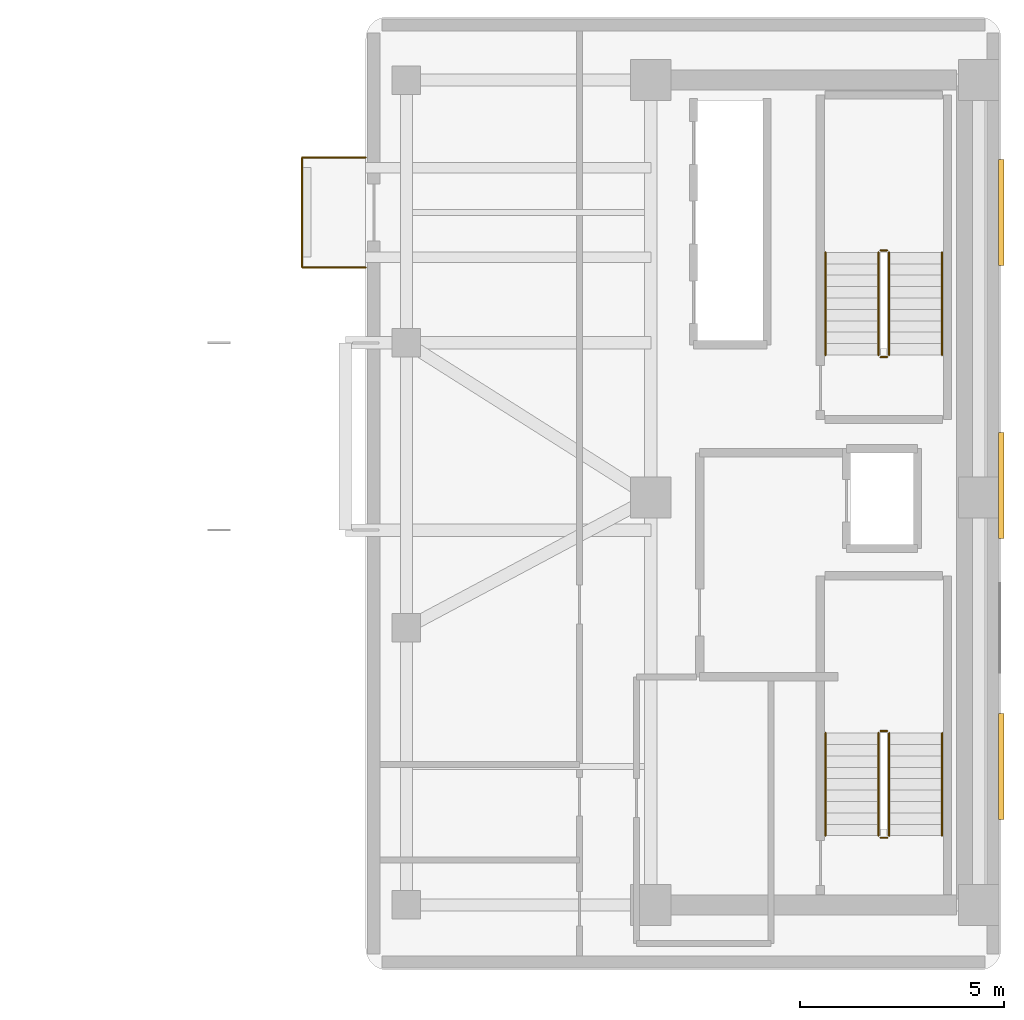
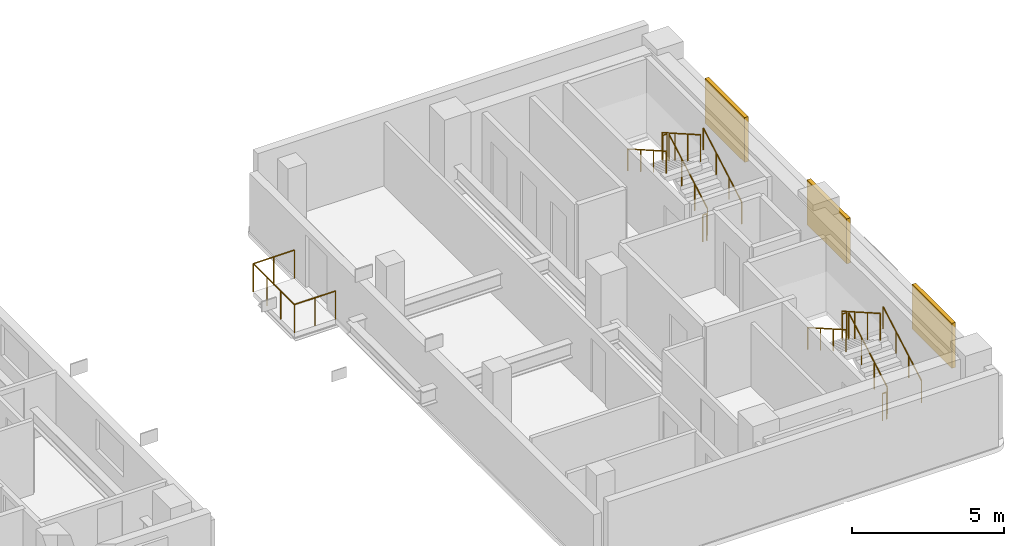
# One storey, part 11 of 11: 15 railings, 3 shading devices.
"""IFC4 building model written with IfcOpenShell, lengths in metres."""

from ifc_helpers import new_model, si_unit, direction, frame, origin, origin_2d, place, context, subcontext, project, spatial, rectangle, circle, extrude, material, layer, layer_set, type_object, element, save


model = new_model("IFC4")

# Units and contexts
model_context = context("Model", 3, precision=1e-05, world=origin(), true_north=direction((0.0, 1.0)))
body_context = subcontext(model_context, "Body", "Model", "MODEL_VIEW")
ifc_project = project(units=[si_unit("LENGTHUNIT", "METRE"), si_unit("AREAUNIT", "SQUARE_METRE"), si_unit("VOLUMEUNIT", "CUBIC_METRE"), si_unit("PLANEANGLEUNIT", "RADIAN"), si_unit("MASSUNIT", "GRAM", prefix="KILO")], contexts=[model_context])

# Site, building, storey
site_placement = place(None, origin())
site = spatial("IfcSite", under=ifc_project, at=site_placement, CompositionType="ELEMENT")
building_placement = place(site_placement, origin())
building = spatial("IfcBuilding", under=site, at=building_placement, Name="Kuzgunbayir Cultural Tower", CompositionType="ELEMENT")
storey_placement = place(building_placement, frame((0.0, 0.0, 99.39990234375)))
storey = spatial("IfcBuildingStorey", under=building, at=storey_placement, Name="L28", CompositionType="ELEMENT", Elevation=99.39990234375)

# Railings
ifc_material_1 = material(Name="Laminated Glass and Stainless Steel", Category="steel")
ifc_layer_1 = layer(ifc_material_1, 0.080078125)
ifc_layer_set_1 = layer_set([ifc_layer_1], Name="Laminated Glass and Stainless Steel")
railing_type_1 = type_object("IfcRailingType", Name="RLG-BAL-115", PredefinedType="BALUSTRADE", material=ifc_layer_set_1)
railing_1_placement = place(storey_placement, frame((57.60009765625, 37.64990234375, 0.0)))
element("IfcRailing", 1, at=railing_1_placement, inside=storey, type_object=railing_type_1, Name="L28 Companion Balcony Guard BAL-L28-T2W3 Segment 1", PredefinedType="BALUSTRADE", context=body_context, shape_type="SweptSolid", body=[
    extrude(circle(Radius=0.02392578125, at=origin_2d()), frame((0.0, 0.0, 1.1259765625), z_axis=(-1.0, 0.0, 0.0), x_axis=(0.0, -1.0, 0.0)), (0.0, 0.0, 1.0), 1.56005859375),
    extrude(circle(Radius=0.02099609375, at=origin_2d()), origin(), (0.0, 0.0, 1.0), 1.101806640625),
    extrude(circle(Radius=0.02099609375, at=origin_2d()), frame((-0.780029296875, 0.0, 0.0)), (0.0, 0.0, 1.0), 1.101806640625),
    extrude(circle(Radius=0.02099609375, at=origin_2d()), frame((-1.56005859375, 0.0, 0.0)), (0.0, 0.0, 1.0), 1.101806640625),
])
railing_2_placement = place(storey_placement, frame((56.0400390625, 37.64990234375, 0.0)))
element("IfcRailing", 2, at=railing_2_placement, inside=storey, type_object=railing_type_1, Name="L28 Companion Balcony Guard BAL-L28-T2W3 Segment 2", PredefinedType="BALUSTRADE", context=body_context, shape_type="SweptSolid", body=[
    extrude(circle(Radius=0.02392578125, at=origin_2d()), frame((0.0, 0.0, 1.1259765625), z_axis=(0.0, 1.0, 0.0), x_axis=(-1.0, 0.0, 0.0)), (0.0, 0.0, 1.0), 2.7001953125),
    extrude(circle(Radius=0.02099609375, at=origin_2d()), origin(), (0.0, 0.0, 1.0), 1.101806640625),
    extrude(circle(Radius=0.02099609375, at=origin_2d()), frame((0.0, 0.900146484375, 0.0)), (0.0, 0.0, 1.0), 1.101806640625),
    extrude(circle(Radius=0.02099609375, at=origin_2d()), frame((0.0, 1.800048828125, 0.0)), (0.0, 0.0, 1.0), 1.101806640625),
    extrude(circle(Radius=0.02099609375, at=origin_2d()), frame((0.0, 2.7001953125, 0.0)), (0.0, 0.0, 1.0), 1.101806640625),
])
railing_3_placement = place(storey_placement, frame((56.0400390625, 40.35009765625, 0.0)))
element("IfcRailing", 3, at=railing_3_placement, inside=storey, type_object=railing_type_1, Name="L28 Companion Balcony Guard BAL-L28-T2W3 Segment 3", PredefinedType="BALUSTRADE", context=body_context, shape_type="SweptSolid", body=[
    extrude(circle(Radius=0.02392578125, at=origin_2d()), frame((0.0, 0.0, 1.1259765625), z_axis=(1.0, 0.0, 0.0), x_axis=(0.0, 1.0, 0.0)), (0.0, 0.0, 1.0), 1.56005859375),
    extrude(circle(Radius=0.02099609375, at=origin_2d()), origin(), (0.0, 0.0, 1.0), 1.101806640625),
    extrude(circle(Radius=0.02099609375, at=origin_2d()), frame((0.780029296875, 0.0, 0.0)), (0.0, 0.0, 1.0), 1.101806640625),
    extrude(circle(Radius=0.02099609375, at=origin_2d()), frame((1.56005859375, 0.0, 0.0)), (0.0, 0.0, 1.0), 1.101806640625),
])
ifc_material_2 = material(Name="Brushed Stainless Steel", Category="steel")
ifc_layer_2 = layer(ifc_material_2, 0.050048828125)
ifc_layer_set_2 = layer_set([ifc_layer_2], Name="Brushed Stainless Steel")
railing_type_2 = type_object("IfcRailingType", Name="RLG-STAIR-HANDRAIL", PredefinedType="HANDRAIL", material=ifc_layer_set_2)
railing_4_placement = place(storey_placement, frame((71.75, 23.699951171875, 0.16015625)))
element("IfcRailing", 4, at=railing_4_placement, inside=storey, type_object=railing_type_2, Name="L28 ST-3 stair handrail 1", PredefinedType="HANDRAIL", context=body_context, shape_type="SweptSolid", body=[
    extrude(circle(Radius=0.02392578125, at=origin_2d()), frame((0.0, 0.0, 0.8759765625), z_axis=(0.0, 0.868253494771, 0.496120820787), x_axis=(-1.0, 0.0, 0.0)), (0.0, 0.0, 1.0), 2.90234375),
    extrude(circle(Radius=0.02099609375, at=origin_2d()), origin(), (0.0, 0.0, 1.0), 0.851806640625),
    extrude(circle(Radius=0.02099609375, at=origin_2d()), frame((0.0, 0.840087890625, 0.47998046875)), (0.0, 0.0, 1.0), 0.851806640625),
    extrude(circle(Radius=0.02099609375, at=origin_2d()), frame((0.0, 1.679931640625, 0.9599609375)), (0.0, 0.0, 1.0), 0.851806640625),
    extrude(circle(Radius=0.02099609375, at=origin_2d()), frame((0.0, 2.52001953125, 1.43994140625)), (0.0, 0.0, 1.0), 0.851806640625),
])
railing_5_placement = place(storey_placement, frame((68.889892578125, 26.219970703125, 1.760009765625)))
element("IfcRailing", 5, at=railing_5_placement, inside=storey, type_object=railing_type_2, Name="L28 ST-3 stair handrail 2", PredefinedType="HANDRAIL", context=body_context, shape_type="SweptSolid", body=[
    extrude(circle(Radius=0.02392578125, at=origin_2d()), frame((0.0, 0.0, 0.8759765625), z_axis=(0.0, -0.868217259934, 0.496184229447), x_axis=(1.0, 0.0, 0.0)), (0.0, 0.0, 1.0), 2.902587890625),
    extrude(circle(Radius=0.02099609375, at=origin_2d()), origin(), (0.0, 0.0, 1.0), 0.851806640625),
    extrude(circle(Radius=0.02099609375, at=origin_2d()), frame((0.0, -0.840087890625, 0.47998046875)), (0.0, 0.0, 1.0), 0.851806640625),
    extrude(circle(Radius=0.02099609375, at=origin_2d()), frame((0.0, -1.679931640625, 0.960205078125)), (0.0, 0.0, 1.0), 0.851806640625),
    extrude(circle(Radius=0.02099609375, at=origin_2d()), frame((0.0, -2.52001953125, 1.440185546875)), (0.0, 0.0, 1.0), 0.851806640625),
])
railing_6_placement = place(storey_placement, frame((71.75, 35.5, 0.16015625)))
element("IfcRailing", 6, at=railing_6_placement, inside=storey, type_object=railing_type_2, Name="L28 ST-4 stair handrail 1", PredefinedType="HANDRAIL", context=body_context, shape_type="SweptSolid", body=[
    extrude(circle(Radius=0.02392578125, at=origin_2d()), frame((0.0, 0.0, 0.8759765625), z_axis=(0.0, 0.868253494771, 0.496120820787), x_axis=(-1.0, 0.0, 0.0)), (0.0, 0.0, 1.0), 2.90234375),
    extrude(circle(Radius=0.02099609375, at=origin_2d()), origin(), (0.0, 0.0, 1.0), 0.851806640625),
    extrude(circle(Radius=0.02099609375, at=origin_2d()), frame((0.0, 0.840087890625, 0.47998046875)), (0.0, 0.0, 1.0), 0.851806640625),
    extrude(circle(Radius=0.02099609375, at=origin_2d()), frame((0.0, 1.679931640625, 0.9599609375)), (0.0, 0.0, 1.0), 0.851806640625),
    extrude(circle(Radius=0.02099609375, at=origin_2d()), frame((0.0, 2.52001953125, 1.43994140625)), (0.0, 0.0, 1.0), 0.851806640625),
])
railing_7_placement = place(storey_placement, frame((68.889892578125, 38.02001953125, 1.760009765625)))
element("IfcRailing", 7, at=railing_7_placement, inside=storey, type_object=railing_type_2, Name="L28 ST-4 stair handrail 2", PredefinedType="HANDRAIL", context=body_context, shape_type="SweptSolid", body=[
    extrude(circle(Radius=0.02392578125, at=origin_2d()), frame((0.0, 0.0, 0.8759765625), z_axis=(0.0, -0.868217259934, 0.496184229447), x_axis=(1.0, 0.0, 0.0)), (0.0, 0.0, 1.0), 2.902587890625),
    extrude(circle(Radius=0.02099609375, at=origin_2d()), origin(), (0.0, 0.0, 1.0), 0.851806640625),
    extrude(circle(Radius=0.02099609375, at=origin_2d()), frame((0.0, -0.840087890625, 0.47998046875)), (0.0, 0.0, 1.0), 0.851806640625),
    extrude(circle(Radius=0.02099609375, at=origin_2d()), frame((0.0, -1.679931640625, 0.960205078125)), (0.0, 0.0, 1.0), 0.851806640625),
    extrude(circle(Radius=0.02099609375, at=origin_2d()), frame((0.0, -2.52001953125, 1.440185546875)), (0.0, 0.0, 1.0), 0.851806640625),
])
ifc_material_3 = material(Name="Painted Steel Balustrade", Category="steel")
ifc_layer_3 = layer(ifc_material_3, 0.06005859375)
ifc_layer_set_3 = layer_set([ifc_layer_3], Name="Painted Steel Balustrade")
railing_type_3 = type_object("IfcRailingType", Name="RLG-WELL-GUARD", PredefinedType="GUARDRAIL", material=ifc_layer_set_3)
railing_8_placement = place(storey_placement, frame((70.449951171875, 23.699951171875, 0.16015625)))
element("IfcRailing", 8, at=railing_8_placement, inside=storey, type_object=railing_type_3, Name="L28 ST-3 stair guard 1", PredefinedType="GUARDRAIL", context=body_context, shape_type="SweptSolid", body=[
    extrude(circle(Radius=0.02392578125, at=origin_2d()), frame((0.0, 0.0, 1.076171875), z_axis=(0.0, 0.868253494771, 0.496120820787), x_axis=(-1.0, 0.0, 0.0)), (0.0, 0.0, 1.0), 2.90234375),
    extrude(circle(Radius=0.02099609375, at=origin_2d()), origin(), (0.0, 0.0, 1.0), 1.052001953125),
    extrude(circle(Radius=0.02099609375, at=origin_2d()), frame((0.0, 0.840087890625, 0.47998046875)), (0.0, 0.0, 1.0), 1.052001953125),
    extrude(circle(Radius=0.02099609375, at=origin_2d()), frame((0.0, 1.679931640625, 0.9599609375)), (0.0, 0.0, 1.0), 1.052001953125),
    extrude(circle(Radius=0.02099609375, at=origin_2d()), frame((0.0, 2.52001953125, 1.43994140625)), (0.0, 0.0, 1.0), 1.052001953125),
])
railing_9_placement = place(storey_placement, frame((70.39990234375, 26.27001953125, 1.60009765625)))
element("IfcRailing", 9, at=railing_9_placement, inside=storey, type_object=railing_type_3, Name="L28 ST-3 stair guard 2", PredefinedType="GUARDRAIL", context=body_context, shape_type="SweptSolid", body=[
    extrude(circle(Radius=0.02392578125, at=origin_2d()), frame((0.0, 0.0, 1.076171875), z_axis=(-1.0, 0.0, 0.0), x_axis=(0.0, -1.0, 0.0)), (0.0, 0.0, 1.0), 0.159912109375),
    extrude(circle(Radius=0.02099609375, at=origin_2d()), origin(), (0.0, 0.0, 1.0), 1.052001953125),
    extrude(circle(Radius=0.02099609375, at=origin_2d()), frame((-0.159912109375, 0.0, 0.0)), (0.0, 0.0, 1.0), 1.052001953125),
])
railing_10_placement = place(storey_placement, frame((70.18994140625, 26.219970703125, 1.760009765625)))
element("IfcRailing", 10, at=railing_10_placement, inside=storey, type_object=railing_type_3, Name="L28 ST-3 stair guard 3", PredefinedType="GUARDRAIL", context=body_context, shape_type="SweptSolid", body=[
    extrude(circle(Radius=0.02392578125, at=origin_2d()), frame((0.0, 0.0, 1.076171875), z_axis=(0.0, -0.868217259934, 0.496184229447), x_axis=(1.0, 0.0, 0.0)), (0.0, 0.0, 1.0), 2.902587890625),
    extrude(circle(Radius=0.02099609375, at=origin_2d()), origin(), (0.0, 0.0, 1.0), 1.052001953125),
    extrude(circle(Radius=0.02099609375, at=origin_2d()), frame((0.0, -0.840087890625, 0.47998046875)), (0.0, 0.0, 1.0), 1.052001953125),
    extrude(circle(Radius=0.02099609375, at=origin_2d()), frame((0.0, -1.679931640625, 0.960205078125)), (0.0, 0.0, 1.0), 1.052001953125),
    extrude(circle(Radius=0.02099609375, at=origin_2d()), frame((0.0, -2.52001953125, 1.440185546875)), (0.0, 0.0, 1.0), 1.052001953125),
])
railing_11_placement = place(storey_placement, frame((70.39990234375, 23.64990234375, 0.0)))
element("IfcRailing", 11, at=railing_11_placement, inside=storey, type_object=railing_type_3, Name="L28 ST-3 stair guard 4", PredefinedType="GUARDRAIL", context=body_context, shape_type="SweptSolid", body=[
    extrude(circle(Radius=0.02392578125, at=origin_2d()), frame((0.0, 0.0, 1.076171875), z_axis=(-1.0, 0.0, 0.0), x_axis=(0.0, -1.0, 0.0)), (0.0, 0.0, 1.0), 0.159912109375),
    extrude(circle(Radius=0.02099609375, at=origin_2d()), origin(), (0.0, 0.0, 1.0), 1.052001953125),
    extrude(circle(Radius=0.02099609375, at=origin_2d()), frame((-0.159912109375, 0.0, 0.0)), (0.0, 0.0, 1.0), 1.052001953125),
])
railing_12_placement = place(storey_placement, frame((70.449951171875, 35.5, 0.16015625)))
element("IfcRailing", 12, at=railing_12_placement, inside=storey, type_object=railing_type_3, Name="L28 ST-4 stair guard 1", PredefinedType="GUARDRAIL", context=body_context, shape_type="SweptSolid", body=[
    extrude(circle(Radius=0.02392578125, at=origin_2d()), frame((0.0, 0.0, 1.076171875), z_axis=(0.0, 0.868253494771, 0.496120820787), x_axis=(-1.0, 0.0, 0.0)), (0.0, 0.0, 1.0), 2.90234375),
    extrude(circle(Radius=0.02099609375, at=origin_2d()), origin(), (0.0, 0.0, 1.0), 1.052001953125),
    extrude(circle(Radius=0.02099609375, at=origin_2d()), frame((0.0, 0.840087890625, 0.47998046875)), (0.0, 0.0, 1.0), 1.052001953125),
    extrude(circle(Radius=0.02099609375, at=origin_2d()), frame((0.0, 1.679931640625, 0.9599609375)), (0.0, 0.0, 1.0), 1.052001953125),
    extrude(circle(Radius=0.02099609375, at=origin_2d()), frame((0.0, 2.52001953125, 1.43994140625)), (0.0, 0.0, 1.0), 1.052001953125),
])
railing_13_placement = place(storey_placement, frame((70.39990234375, 38.070068359375, 1.60009765625)))
element("IfcRailing", 13, at=railing_13_placement, inside=storey, type_object=railing_type_3, Name="L28 ST-4 stair guard 2", PredefinedType="GUARDRAIL", context=body_context, shape_type="SweptSolid", body=[
    extrude(circle(Radius=0.02392578125, at=origin_2d()), frame((0.0, 0.0, 1.076171875), z_axis=(-1.0, 0.0, 0.0), x_axis=(0.0, -1.0, 0.0)), (0.0, 0.0, 1.0), 0.159912109375),
    extrude(circle(Radius=0.02099609375, at=origin_2d()), origin(), (0.0, 0.0, 1.0), 1.052001953125),
    extrude(circle(Radius=0.02099609375, at=origin_2d()), frame((-0.159912109375, 0.0, 0.0)), (0.0, 0.0, 1.0), 1.052001953125),
])
railing_14_placement = place(storey_placement, frame((70.18994140625, 38.02001953125, 1.760009765625)))
element("IfcRailing", 14, at=railing_14_placement, inside=storey, type_object=railing_type_3, Name="L28 ST-4 stair guard 3", PredefinedType="GUARDRAIL", context=body_context, shape_type="SweptSolid", body=[
    extrude(circle(Radius=0.02392578125, at=origin_2d()), frame((0.0, 0.0, 1.076171875), z_axis=(0.0, -0.868217259934, 0.496184229447), x_axis=(1.0, 0.0, 0.0)), (0.0, 0.0, 1.0), 2.902587890625),
    extrude(circle(Radius=0.02099609375, at=origin_2d()), origin(), (0.0, 0.0, 1.0), 1.052001953125),
    extrude(circle(Radius=0.02099609375, at=origin_2d()), frame((0.0, -0.840087890625, 0.47998046875)), (0.0, 0.0, 1.0), 1.052001953125),
    extrude(circle(Radius=0.02099609375, at=origin_2d()), frame((0.0, -1.679931640625, 0.960205078125)), (0.0, 0.0, 1.0), 1.052001953125),
    extrude(circle(Radius=0.02099609375, at=origin_2d()), frame((0.0, -2.52001953125, 1.440185546875)), (0.0, 0.0, 1.0), 1.052001953125),
])
railing_15_placement = place(storey_placement, frame((70.39990234375, 35.449951171875, 0.0)))
element("IfcRailing", 15, at=railing_15_placement, inside=storey, type_object=railing_type_3, Name="L28 ST-4 stair guard 4", PredefinedType="GUARDRAIL", context=body_context, shape_type="SweptSolid", body=[
    extrude(circle(Radius=0.02392578125, at=origin_2d()), frame((0.0, 0.0, 1.076171875), z_axis=(-1.0, 0.0, 0.0), x_axis=(0.0, -1.0, 0.0)), (0.0, 0.0, 1.0), 0.159912109375),
    extrude(circle(Radius=0.02099609375, at=origin_2d()), origin(), (0.0, 0.0, 1.0), 1.052001953125),
    extrude(circle(Radius=0.02099609375, at=origin_2d()), frame((-0.159912109375, 0.0, 0.0)), (0.0, 0.0, 1.0), 1.052001953125),
])

# Shading devices
ifc_material_4 = material(Name="Perforated Bronze-Anodised Aluminium", Category="aluminium")
shading_device_type = type_object("IfcShadingDeviceType", Name="SHD-SOLAR-BRONZE", PredefinedType="JALOUSIE", material=ifc_material_4)
for number, where, z_axis, x_axis, name in (
    (16, (73.199951171875, 25.39990234375, 0.80029296875), (0.0, 0.0, 1.0), (1.0, 0.0, 0.0), "L28 Companion East Bronze Solar Screen 25"),
    (17, (73.199951171875, 32.300048828125, 0.80029296875), (0.0, 0.0, 1.0), (1.0, 0.0, 0.0), "L28 Companion East Bronze Solar Screen 32"),
    (18, (73.199951171875, 39.0, 0.80029296875), (0.0, 0.0, 1.0), (1.0, 0.0, 0.0), "L28 Companion East Bronze Solar Screen 39"),
):
    element("IfcShadingDevice", number, at=place(storey_placement, frame(where, z_axis=z_axis, x_axis=x_axis)), inside=storey, type_object=shading_device_type, Name=name, PredefinedType="JALOUSIE", context=body_context, shape_type="SweptSolid", body=[
        extrude(rectangle(XDim=0.139892578125, YDim=2.60009765625, at=origin_2d()), origin(), (0.0, 0.0, 1.0), 1.800048828125),
    ])

save(model, "model.ifc")
